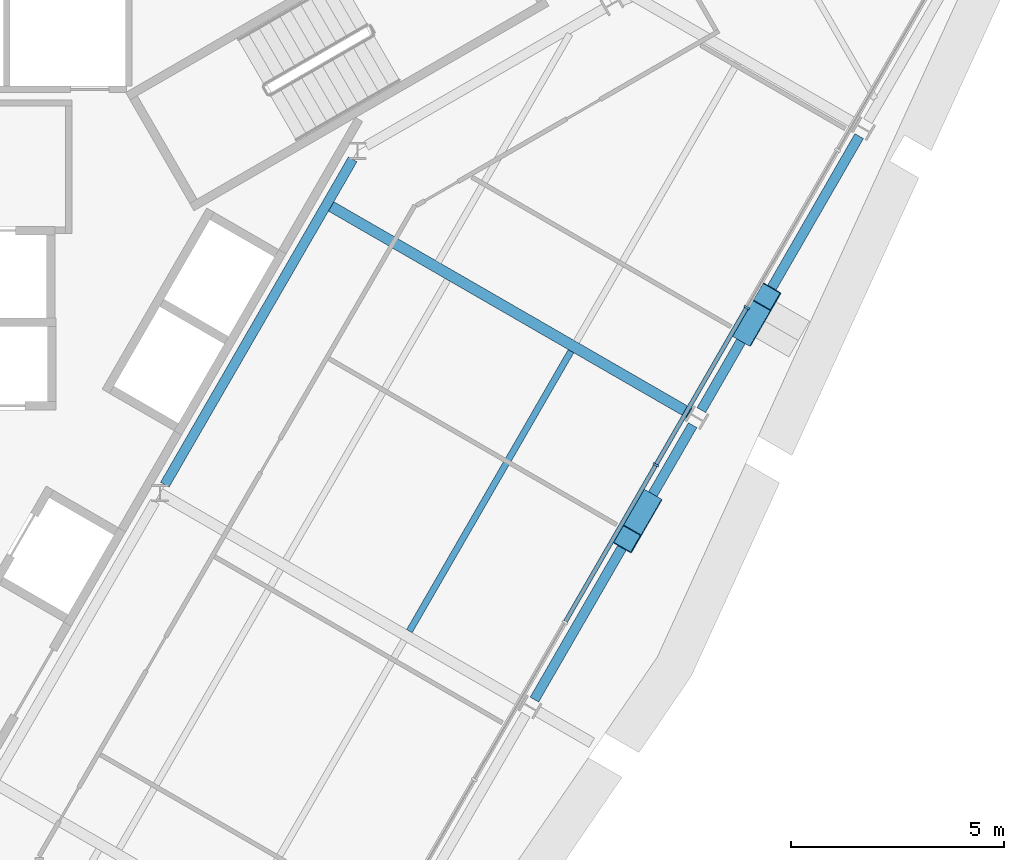
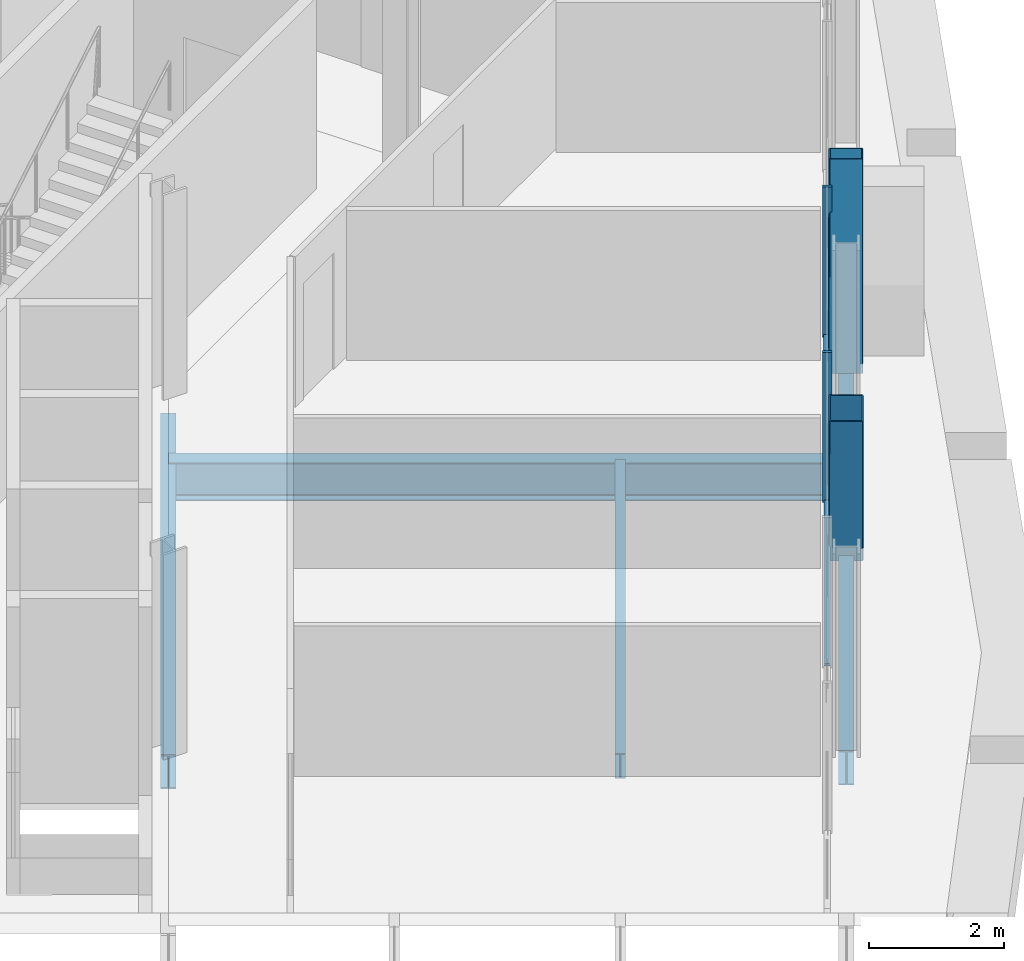
# One storey, part 7 of 17: 6 members, 5 beams, 1 element without a shape of its own.
"""IFC4 building model written with IfcOpenShell, lengths in metres."""

from ifc_helpers import new_model, si_unit, direction, frame, origin, origin_2d, place, context, subcontext, project, spatial, rectangle, hollow_rectangle, i_section, extrude, material, material_profile, profile_set, type_object, element, aggregate, save


model = new_model("IFC4")

# Units and contexts
model_context = context("Model", 3, precision=1e-05, world=origin(), true_north=direction((0.0, 1.0)))
body_context = subcontext(model_context, "Body", "Model", "MODEL_VIEW")
ifc_project = project(units=[si_unit("LENGTHUNIT", "METRE"), si_unit("AREAUNIT", "SQUARE_METRE"), si_unit("VOLUMEUNIT", "CUBIC_METRE"), si_unit("PLANEANGLEUNIT", "RADIAN"), si_unit("MASSUNIT", "GRAM", prefix="KILO")], contexts=[model_context])

# Site, building, storey
site_placement = place(None, origin())
site = spatial("IfcSite", under=ifc_project, at=site_placement, CompositionType="ELEMENT")
building_placement = place(site_placement, origin())
building = spatial("IfcBuilding", under=site, at=building_placement, Name="Verrane Prism Tower", CompositionType="ELEMENT")
storey_placement = place(building_placement, frame((0.0, 0.0, 182.10009765625)))
storey = spatial("IfcBuildingStorey", under=building, at=storey_placement, Name="L45", CompositionType="ELEMENT", Elevation=182.10009765625)

# Beam
ifc_material_1 = material(Name="Steel A992", Category="steel")
ifc_material_profile_1 = material_profile(ifc_material_1, i_section(OverallWidth=0.23046875, OverallDepth=0.6171875, WebThickness=0.01318359375, FlangeThickness=0.022216796875, FilletRadius=0.012939453125, at=origin_2d()), Name="W24x94")
ifc_profile_set_1 = profile_set([ifc_material_profile_1], Name="Steel A992")
beam_type_1 = type_object("IfcBeamType", Name="Core ring girder W24x94", PredefinedType="BEAM", material=ifc_profile_set_1)
beam_1_placement = place(storey_placement, frame((7.045166015625, -3.800537109375, -0.55859375), z_axis=(0.499967414725, 0.866044216084, 0.0), x_axis=(-0.866044216084, 0.499967414725, 0.0)))
element("IfcBeam", 1, at=beam_1_placement, inside=storey, type_object=beam_type_1, Name="Core ring girder L45", PredefinedType="BEAM", context=body_context, shape_type="SweptSolid", body=[
    extrude(i_section(OverallWidth=0.23046875, OverallDepth=0.6171875, WebThickness=0.01318359375, FlangeThickness=0.022216796875, FilletRadius=0.012939453125, at=origin_2d()), origin(), (0.0, 0.0, 1.0), 8.7998046875),
])

# Members
ifc_material_2 = material(Name="Steel A500 Grade C", Category="steel")
ifc_material_profile_2 = material_profile(ifc_material_2, hollow_rectangle(XDim=0.508056640625, YDim=0.508056640625, WallThickness=0.01904296875, InnerFilletRadius=0.009521484375, OuterFilletRadius=0.028564453125, at=origin_2d()), Name="HSS20x20x3/4")
ifc_profile_set_2 = profile_set([ifc_material_profile_2], Name="Steel A500 Grade C")
member_type_1 = type_object("IfcMemberType", Name="Facade brace HSS20x20x3/4", PredefinedType="BRACE", material=ifc_profile_set_2)
member_1_placement = place(storey_placement, frame((18.354736328125, -4.233154296875, -0.216796875), z_axis=(-0.144480360472, -0.250573985495, 0.95725550572), x_axis=(0.866307605918, -0.499510892703, 0.0)))
element("IfcMember", 2, at=member_1_placement, inside=storey, type_object=member_type_1, Name="Facade brace SE3 L45", PredefinedType="BRACE", context=body_context, shape_type="SweptSolid", body=[
    extrude(hollow_rectangle(XDim=0.508056640625, YDim=0.508056640625, WallThickness=0.01904296875, InnerFilletRadius=0.009521484375, OuterFilletRadius=0.028564453125, at=origin_2d()), origin(), (0.0, 0.0, 1.0), 3.339111328125),
])
member_2_placement = place(storey_placement, frame((20.662109375, -0.22998046875, -0.216796875), z_axis=(0.144204540369, 0.250310416675, 0.957366045899), x_axis=(-0.866493065249, 0.499189110333, 0.0)))
element("IfcMember", 3, at=member_2_placement, inside=storey, type_object=member_type_1, Name="Facade brace SE4 L45", PredefinedType="BRACE", context=body_context, shape_type="SweptSolid", body=[
    extrude(hollow_rectangle(XDim=0.508056640625, YDim=0.508056640625, WallThickness=0.01904296875, InnerFilletRadius=0.009521484375, OuterFilletRadius=0.028564453125, at=origin_2d()), origin(), (0.0, 0.0, 1.0), 3.338623046875),
])

# Beam
ifc_material_3 = material(Name="Steel A992", Category="steel")
ifc_material_profile_3 = material_profile(ifc_material_3, i_section(OverallWidth=0.15234375, OverallDepth=0.449462890625, WebThickness=0.007568359375, FlangeThickness=0.0107421875, FilletRadius=0.01025390625, at=origin_2d()), Name="W18x35")
ifc_profile_set_3 = profile_set([ifc_material_profile_3], Name="Steel A992")
beam_type_2 = type_object("IfcBeamType", Name="Floor beam W18x35", PredefinedType="BEAM", material=ifc_profile_set_3)
beam_2_placement = place(storey_placement, frame((12.7734375, -7.22998046875, -0.385009765625), z_axis=(0.499999771941, 0.866025535455, 0.0), x_axis=(-0.866025535455, 0.499999771941, 0.0)))
element("IfcBeam", 4, at=beam_2_placement, inside=storey, type_object=beam_type_2, Name="Floor beam L45", PredefinedType="BEAM", context=body_context, shape_type="SweptSolid", body=[
    extrude(i_section(OverallWidth=0.15234375, OverallDepth=0.449462890625, WebThickness=0.007568359375, FlangeThickness=0.0107421875, FilletRadius=0.01025390625, at=origin_2d()), origin(), (0.0, 0.0, 1.0), 7.56982421875),
])

# Curtain wall, members
ifc_material_4 = material(Name="Aluminium framed insulated glazing", Category="aluminium")
curtain_wall_type = type_object("IfcCurtainWallType", Name="Curtain wall CW-C 4200 module", PredefinedType="NOTDEFINED", material=ifc_material_4)
curtain_wall_placement = place(storey_placement, origin())
curtain_wall = element("IfcCurtainWall", 5, at=curtain_wall_placement, inside=storey, type_object=curtain_wall_type, Name="Glazed curtain wall south-east face L45", PredefinedType="NOTDEFINED")
ifc_material_5 = material(Name="Aluminium alloy 6063-T6", Category="aluminium")
ifc_material_profile_4 = material_profile(ifc_material_5, rectangle(XDim=0.139892578125, YDim=0.050048828125, at=origin_2d()), Name="Mullion 50x140 aluminium")
ifc_profile_set_4 = profile_set([ifc_material_profile_4], Name="Aluminium alloy 6063-T6")
member_type_2 = type_object("IfcMemberType", Name="Mullion 50x140 aluminium", PredefinedType="MULLION", material=ifc_profile_set_4)
member_3_placement = place(storey_placement, frame((18.547607421875, -3.336669921875, 0.0), z_axis=(0.0, 0.0, 1.0), x_axis=(-0.866025734201, 0.499999427701, 0.0)))
member_3 = element("IfcMember", 6, at=member_3_placement, type_object=member_type_2, Name="CW44.6 mullion 8", PredefinedType="MULLION", context=body_context, shape_type="SweptSolid", body=[
    extrude(rectangle(XDim=0.139892578125, YDim=0.050048828125, at=origin_2d()), origin(), (0.0, 0.0, 1.0), 2.712890625),
])
member_4_placement = place(storey_placement, frame((20.675537109375, 0.34912109375, 0.0), z_axis=(0.0, 0.0, 1.0), x_axis=(-0.866025734201, 0.499999427701, 0.0)))
member_4 = element("IfcMember", 7, at=member_4_placement, type_object=member_type_2, Name="CW44.6 mullion 9", PredefinedType="MULLION", context=body_context, shape_type="SweptSolid", body=[
    extrude(rectangle(XDim=0.139892578125, YDim=0.050048828125, at=origin_2d()), origin(), (0.0, 0.0, 1.0), 2.712890625),
])

# Beams
ifc_material_6 = material(Name="Steel A992", Category="steel")
ifc_material_profile_5 = material_profile(ifc_material_6, i_section(OverallWidth=0.25390625, OverallDepth=0.683349609375, WebThickness=0.012451171875, FlangeThickness=0.01904296875, FilletRadius=0.01513671875, at=origin_2d()), Name="W27x94")
ifc_profile_set_5 = profile_set([ifc_material_profile_5], Name="Steel A992")
beam_type_3 = type_object("IfcBeamType", Name="Radial girder W27x94", PredefinedType="BEAM", material=ifc_profile_set_5)
beam_3_placement = place(storey_placement, frame((19.32958984375, -2.1259765625, -0.561767578125), z_axis=(-0.866018006425, 0.500012812384, 0.0), x_axis=(-0.500012812384, -0.866018006425, 0.0)))
element("IfcBeam", 8, at=beam_3_placement, inside=storey, type_object=beam_type_3, Name="Radial girder L45", PredefinedType="BEAM", context=body_context, shape_type="SweptSolid", body=[
    extrude(i_section(OverallWidth=0.25390625, OverallDepth=0.683349609375, WebThickness=0.012451171875, FlangeThickness=0.01904296875, FilletRadius=0.01513671875, at=origin_2d()), origin(), (0.0, 0.0, 1.0), 9.801513671875),
])
ifc_material_7 = material(Name="Steel A992", Category="steel")
ifc_material_profile_6 = material_profile(ifc_material_7, i_section(OverallWidth=0.23046875, OverallDepth=0.6171875, WebThickness=0.01318359375, FlangeThickness=0.022216796875, FilletRadius=0.012939453125, at=origin_2d()), Name="W24x94")
ifc_profile_set_6 = profile_set([ifc_material_profile_6], Name="Steel A992")
beam_type_4 = type_object("IfcBeamType", Name="Spandrel beam W24x94", PredefinedType="SPANDREL", material=ifc_profile_set_6)
beam_4_placement = place(storey_placement, frame((15.701416015625, -8.833984375, -0.46875), z_axis=(0.499579081508, 0.86626828484, 0.0), x_axis=(-0.86626828484, 0.499579081508, 0.0)))
element("IfcBeam", 9, at=beam_4_placement, inside=storey, type_object=beam_type_4, Name="Spandrel beam L45", PredefinedType="SPANDREL", context=body_context, shape_type="SweptSolid", body=[
    extrude(i_section(OverallWidth=0.23046875, OverallDepth=0.6171875, WebThickness=0.01318359375, FlangeThickness=0.022216796875, FilletRadius=0.012939453125, at=origin_2d()), origin(), (0.0, 0.0, 1.0), 7.42041015625),
])
beam_5_placement = place(storey_placement, frame((19.611328125, -2.053955078125, -0.46875), z_axis=(0.499174476851, 0.866501495475, 0.0), x_axis=(-0.866501495475, 0.499174476851, 0.0)))
element("IfcBeam", 10, at=beam_5_placement, inside=storey, type_object=beam_type_4, Name="Spandrel beam L45", PredefinedType="SPANDREL", context=body_context, shape_type="SweptSolid", body=[
    extrude(i_section(OverallWidth=0.23046875, OverallDepth=0.6171875, WebThickness=0.01318359375, FlangeThickness=0.022216796875, FilletRadius=0.012939453125, at=origin_2d()), origin(), (0.0, 0.0, 1.0), 7.40673828125),
])

# Member
ifc_material_8 = material(Name="Aluminium alloy 6063-T6", Category="aluminium")
ifc_material_profile_7 = material_profile(ifc_material_8, rectangle(XDim=0.10009765625, YDim=0.050048828125, at=origin_2d()), Name="Transom 50x100 aluminium")
ifc_profile_set_7 = profile_set([ifc_material_profile_7], Name="Aluminium alloy 6063-T6")
member_type_3 = type_object("IfcMemberType", Name="Transom 50x100 aluminium", PredefinedType="USERDEFINED", material=ifc_profile_set_7)
member_5_placement = place(storey_placement, frame((16.43212890625, -7.0009765625, 0.02490234375), z_axis=(0.499997126074, 0.86602706304, 0.0), x_axis=(-0.86602706304, 0.499997126074, 0.0)))
member_5 = element("IfcMember", 11, at=member_5_placement, type_object=member_type_3, Name="CW44.6 transom 7", ObjectType="TRANSOM", PredefinedType="USERDEFINED", context=body_context, shape_type="SweptSolid", body=[
    extrude(rectangle(XDim=0.10009765625, YDim=0.050048828125, at=origin_2d()), origin(), (0.0, 0.0, 1.0), 4.2060546875),
])

member_6_placement = place(storey_placement, frame((18.56005859375, -3.31494140625, 0.02490234375), z_axis=(0.499997126074, 0.86602706304, 0.0), x_axis=(-0.86602706304, 0.499997126074, 0.0)))
member_6 = element("IfcMember", 12, at=member_6_placement, type_object=member_type_3, Name="CW44.6 transom 8", ObjectType="TRANSOM", PredefinedType="USERDEFINED", context=body_context, shape_type="SweptSolid", body=[
    extrude(rectangle(XDim=0.10009765625, YDim=0.050048828125, at=origin_2d()), origin(), (0.0, 0.0, 1.0), 4.2060546875),
])

aggregate(curtain_wall, [member_3, member_4, member_5, member_6])

save(model, "model.ifc")
